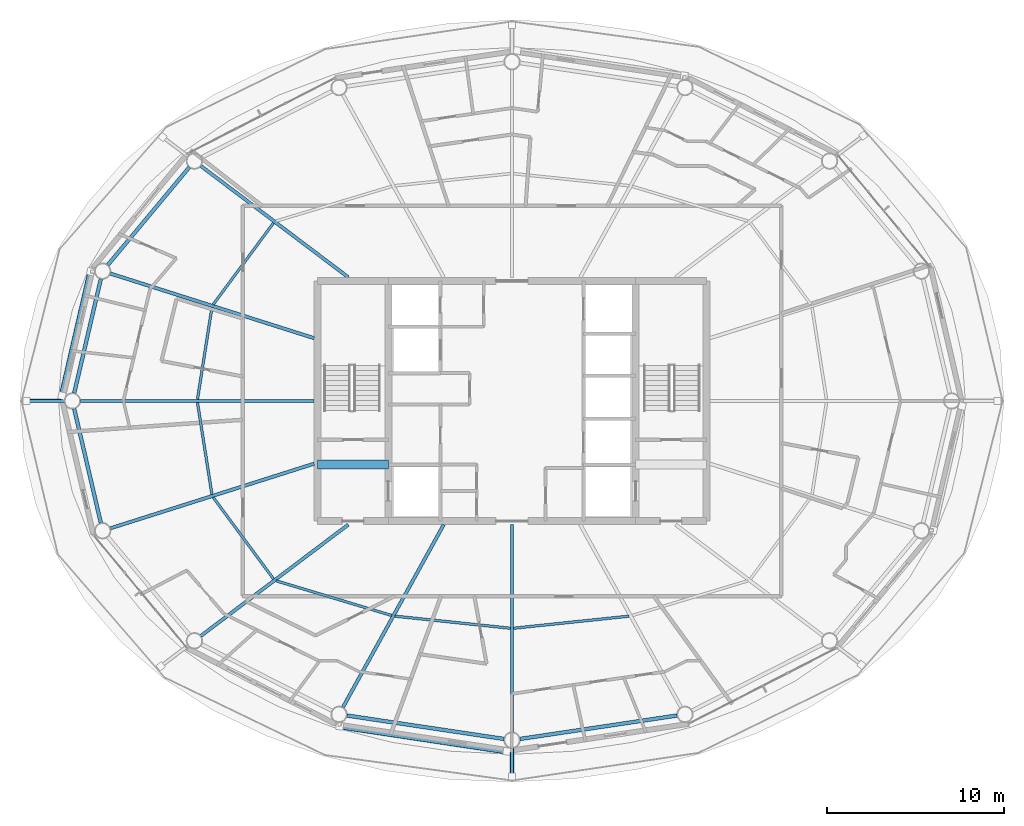
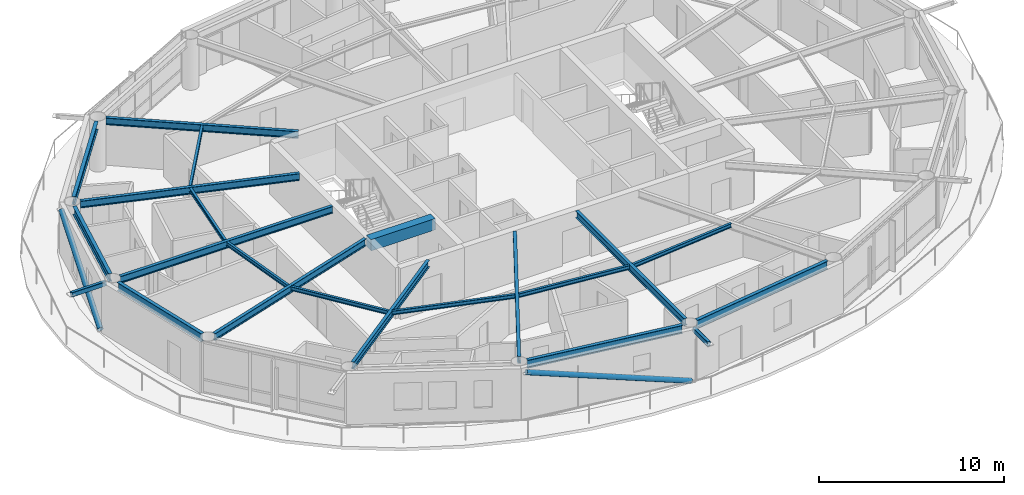
# One storey, part 4 of 23: 20 beams, 4 members.
"""IFC4 building model written with IfcOpenShell, lengths in metres."""

import ifcopenshell
import ifcopenshell.guid

model = None  # the IFC model being written
_history = None  # IfcOwnerHistory: only IFC2X3 demands one
_inside = {}  # id of a spatial element -> (the spatial element, [elements in it])
_under = {}  # id of a project, library or spatial element -> (it, [spatial elements below it])
_declared = {}  # id of a project -> (the project, [libraries it declares])
_typed = {}  # id of a type object -> (the type object, [elements of that type])
_made_of = {}  # id of a material, layer set ... -> (it, [elements and type objects made of it])


def new_model(schema):
    """Start an empty IFC model of exactly this schema.

    Asked for "IFC4X3", IfcOpenShell would pick the latest addendum, in which some entities
    have other attributes; the version numbers below select the first issue.
    IFC2X3 requires an IfcOwnerHistory on every rooted entity: one is made here for all.
    """
    global model, _history
    if schema == "IFC4X3":
        model = ifcopenshell.file(schema_version=(4, 3, 0, 0))
    else:
        model = ifcopenshell.file(schema=schema)
    _inside.clear()
    _under.clear()
    _declared.clear()
    _typed.clear()
    _made_of.clear()
    _history = None
    if model.schema == "IFC2X3":
        org = make("IfcOrganization", Name="unknown")
        user = make(
            "IfcPersonAndOrganization",
            ThePerson=make("IfcPerson", FamilyName="unknown"),
            TheOrganization=org,
        )
        app = make(
            "IfcApplication",
            ApplicationDeveloper=org,
            Version="unknown",
            ApplicationFullName="unknown",
            ApplicationIdentifier="unknown",
        )
        _history = make(
            "IfcOwnerHistory",
            OwningUser=user,
            OwningApplication=app,
            ChangeAction="ADDED",
            CreationDate=0,
        )
    return model


def make(cls, **values):
    """One entity of the class cls with the attributes given. An attribute that is None is left unset."""
    return model.create_entity(
        cls, **{name: value for name, value in values.items() if value is not None}
    )


def rooted(cls, **values):
    """An entity with a GlobalId (a new one), such as an element, a storey or a relation."""
    return make(cls, GlobalId=ifcopenshell.guid.new(), OwnerHistory=_history, **values)


def si_unit(unit_type, name, prefix=None):
    """IfcSIUnit, for example si_unit("LENGTHUNIT", "METRE", prefix="MILLI")."""
    return make("IfcSIUnit", UnitType=unit_type, Prefix=prefix, Name=name)


def assignment(units):
    """IfcUnitAssignment: the units of a project."""
    return None if units is None else make("IfcUnitAssignment", Units=units)


def point(xyz):
    """IfcCartesianPoint."""
    return None if xyz is None else make("IfcCartesianPoint", Coordinates=xyz)


def direction(xyz):
    """IfcDirection."""
    return None if xyz is None else make("IfcDirection", DirectionRatios=xyz)


def frame(location, z_axis=None, x_axis=None):
    """IfcAxis2Placement3D, a coordinate frame: its origin and axes. An axis left out is left unset."""
    return make(
        "IfcAxis2Placement3D",
        Location=point(location),
        Axis=direction(z_axis),
        RefDirection=direction(x_axis),
    )


def frame_2d(location, x_axis=None):
    """IfcAxis2Placement2D, a coordinate frame in the plane: its origin and x axis."""
    return make(
        "IfcAxis2Placement2D", Location=point(location), RefDirection=direction(x_axis)
    )


def origin():
    """The frame at (0, 0, 0) with its axes left unset."""
    return frame((0.0, 0.0, 0.0))


def origin_2d():
    """The frame at (0, 0) in the plane with its x axis left unset."""
    return frame_2d((0.0, 0.0))


def place(relative_to, where):
    """IfcLocalPlacement: puts the frame where relative to a parent placement (None: the world)."""
    return make(
        "IfcLocalPlacement", PlacementRelTo=relative_to, RelativePlacement=where
    )


def context(
    kind, dimensions, precision=None, world=None, true_north=None, identifier=None
):
    """IfcGeometricRepresentationContext, for example the 3D "Model" context."""
    return make(
        "IfcGeometricRepresentationContext",
        ContextIdentifier=identifier,
        ContextType=kind,
        CoordinateSpaceDimension=dimensions,
        Precision=precision,
        WorldCoordinateSystem=world,
        TrueNorth=true_north,
    )


def subcontext(parent, identifier, kind, view, scale=None):
    """IfcGeometricRepresentationSubContext, for example "Body" below "Model"."""
    return make(
        "IfcGeometricRepresentationSubContext",
        ContextIdentifier=identifier,
        ContextType=kind,
        ParentContext=parent,
        TargetScale=scale,
        TargetView=view,
    )


def project(units=None, contexts=None):
    """IfcProject with its units and contexts."""
    return rooted(
        "IfcProject",
        Name="project",
        RepresentationContexts=contexts,
        UnitsInContext=assignment(units),
    )


def spatial(cls, under=None, at=None, **own):
    """A site, building, storey or space (cls), placed at a placement, below another one or the project."""
    s = rooted(cls, ObjectPlacement=at, **own)
    if under is not None:
        _under.setdefault(under.id(), (under, []))[1].append(s)
    return s


def profile(cls, at=None, kind="AREA", **sizes):
    """A parametric profile (cls). Its sizes go by their IFC names, for example OverallWidth=200.0."""
    return make(cls, ProfileType=kind, Position=at, **sizes)


def rectangle(**sizes):
    """IfcRectangleProfileDef."""
    return profile("IfcRectangleProfileDef", **sizes)


def hollow_rectangle(**sizes):
    """IfcRectangleHollowProfileDef."""
    return profile("IfcRectangleHollowProfileDef", **sizes)


def hollow_circle(**sizes):
    """IfcCircleHollowProfileDef."""
    return profile("IfcCircleHollowProfileDef", **sizes)


def i_section(**sizes):
    """IfcIShapeProfileDef."""
    return profile("IfcIShapeProfileDef", **sizes)


def extrude(swept, where, along, depth):
    """IfcExtrudedAreaSolid: the profile swept, set in the frame where, extruded along a direction by depth."""
    return make(
        "IfcExtrudedAreaSolid",
        SweptArea=swept,
        Position=where,
        ExtrudedDirection=direction(along),
        Depth=depth,
    )


def shape(context_of_items, identifier, shape_type, items):
    """IfcShapeRepresentation: the items that make up one representation, for example the "Body"."""
    return make(
        "IfcShapeRepresentation",
        ContextOfItems=context_of_items,
        RepresentationIdentifier=identifier,
        RepresentationType=shape_type,
        Items=items,
    )


def material(Name=None, Category=None):
    """IfcMaterial."""
    return make("IfcMaterial", Name=Name, Category=Category)


def material_profile(
    of_material, cross_section, Name=None, Category=None, Priority=None
):
    """IfcMaterialProfile: a cross section and its material."""
    return make(
        "IfcMaterialProfile",
        Name=Name,
        Material=of_material,
        Profile=cross_section,
        Priority=Priority,
        Category=Category,
    )


def profile_set(profiles, Name=None, composite=None):
    """IfcMaterialProfileSet."""
    return make(
        "IfcMaterialProfileSet",
        Name=Name,
        MaterialProfiles=profiles,
        CompositeProfile=composite,
    )


def made_of(thing, what):
    """Note that an element or type object is made of a material, layer set ...; save() writes the relation."""
    if what is not None:
        _made_of.setdefault(what.id(), (what, []))[1].append(thing)
    return thing


def type_object(cls, material=None, **own):
    """A type object (cls), such as IfcWallType, which elements share."""
    return made_of(rooted(cls, **own), material)


def element(
    cls,
    number,
    at=None,
    inside=None,
    cuts=None,
    type_object=None,
    material=None,
    context=None,
    identifier="Body",
    shape_type=None,
    held_by="IfcProductDefinitionShape",
    body=None,
    shapes=None,
    **own,
):
    """One element of the class cls, such as IfcWall. Its Tag is "e" and its number.

    at: its placement. inside: the storey or other place that contains it. cuts: it is an
    opening in that element (IfcRelVoidsElement). A single representation is given by context,
    identifier, shape_type and body (its items); several are given by shapes. held_by: the class
    of the entity that holds the representations. save() writes the other relations.
    """
    e = rooted(cls, Tag="e%d" % number, ObjectPlacement=at, **own)
    if body is not None:
        shapes = [shape(context, identifier, shape_type, body)]
    if shapes is not None:
        e.Representation = make(held_by, Representations=shapes)
    if inside is not None:
        _inside.setdefault(inside.id(), (inside, []))[1].append(e)
    if cuts is not None:
        rooted(
            "IfcRelVoidsElement", RelatingBuildingElement=cuts, RelatedOpeningElement=e
        )
    if type_object is not None:
        _typed.setdefault(type_object.id(), (type_object, []))[1].append(e)
    return made_of(e, material)


def aggregate(whole, parts):
    """IfcRelAggregates: a whole, such as a stair, and the parts it consists of."""
    return rooted("IfcRelAggregates", RelatingObject=whole, RelatedObjects=parts)


def save(model, path):
    """Write the relations noted so far, then the file.

    IfcRelAggregates (storeys below a building ...), IfcRelContainedInSpatialStructure (elements
    in a storey), IfcRelDefinesByType, IfcRelAssociatesMaterial and IfcRelDeclares: one each for
    every whole, place, type object, material and project.
    """
    for whole, parts in _under.values():
        aggregate(whole, parts)
    for where, things in _inside.values():
        rooted(
            "IfcRelContainedInSpatialStructure",
            RelatedElements=things,
            RelatingStructure=where,
        )
    for kind, things in _typed.values():
        rooted("IfcRelDefinesByType", RelatedObjects=things, RelatingType=kind)
    for what, things in _made_of.values():
        rooted("IfcRelAssociatesMaterial", RelatedObjects=things, RelatingMaterial=what)
    for by, libraries in _declared.values():
        rooted("IfcRelDeclares", RelatingContext=by, RelatedDefinitions=libraries)
    model.write(path)


model = new_model("IFC4")

# Units and contexts
model_context = context("Model", 3, precision=1e-05, world=origin(), true_north=direction((0.0, 1.0)))
body_context = subcontext(model_context, "Body", "Model", "MODEL_VIEW")
ifc_project = project(units=[si_unit("LENGTHUNIT", "METRE"), si_unit("AREAUNIT", "SQUARE_METRE"), si_unit("VOLUMEUNIT", "CUBIC_METRE"), si_unit("PLANEANGLEUNIT", "RADIAN"), si_unit("MASSUNIT", "GRAM", prefix="KILO")], contexts=[model_context])

# Site, building, storey
site_placement = place(None, origin())
site = spatial("IfcSite", under=ifc_project, at=site_placement, CompositionType="ELEMENT")
building_placement = place(site_placement, origin())
building = spatial("IfcBuilding", under=site, at=building_placement, Name="Sarneth Arch Tower", CompositionType="ELEMENT")
storey_placement = place(building_placement, frame((0.0, 0.0, 224.39990234375)))
storey = spatial("IfcBuildingStorey", under=building, at=storey_placement, Name="L57", CompositionType="ELEMENT", Elevation=224.39990234375)

# Beams
ifc_material_1 = material(Name="Steel S355", Category="steel")
ifc_material_profile_1 = material_profile(ifc_material_1, i_section(OverallWidth=0.14794921875, OverallDepth=0.26611328125, WebThickness=0.007568359375, FlangeThickness=0.012939453125, FilletRadius=0.012939453125, at=origin_2d()), Name="W250x44.8")
ifc_profile_set_1 = profile_set([ifc_material_profile_1], Name="Steel S355")
beam_type_1 = type_object("IfcBeamType", Name="BM-JOIST-250", PredefinedType="JOIST", material=ifc_profile_set_1)
beam_1_placement = place(storey_placement, frame((34.5009765625, 52.075439453125, 3.22705078125), z_axis=(-0.594557229879, -0.804053294501, 0.0), x_axis=(0.804053294501, -0.594557229879, 0.0)))
element("IfcBeam", 1, at=beam_1_placement, inside=storey, type_object=beam_type_1, Name="L57 Secondary floor joist 07", PredefinedType="JOIST", context=body_context, shape_type="SweptSolid", body=[
    extrude(i_section(OverallWidth=0.14794921875, OverallDepth=0.26611328125, WebThickness=0.007568359375, FlangeThickness=0.012939453125, FilletRadius=0.012939453125, at=origin_2d()), origin(), (0.0, 0.0, 1.0), 5.74169921875),
])
for number, where, z_axis, x_axis, name in (
    (2, (31.01513671875, 47.286865234375, 3.22705078125), (-0.155421095795, -0.987848309702, 0.0), (0.987848309702, -0.155421095795, 0.0), "L57 Secondary floor joist 08"),
    (3, (30.1982421875, 41.9052734375, 3.22705078125), (0.155421095795, -0.987848309702, 0.0), (0.987848309702, 0.155421095795, 0.0), "L57 Secondary floor joist 09"),
):
    element("IfcBeam", number, at=place(storey_placement, frame(where, z_axis=z_axis, x_axis=x_axis)), inside=storey, type_object=beam_type_1, Name=name, PredefinedType="JOIST", context=body_context, shape_type="SweptSolid", body=[
        extrude(i_section(OverallWidth=0.14794921875, OverallDepth=0.26611328125, WebThickness=0.007568359375, FlangeThickness=0.012939453125, FilletRadius=0.012939453125, at=origin_2d()), origin(), (0.0, 0.0, 1.0), 5.256103515625),
    ])
beam_2_placement = place(storey_placement, frame((31.087158203125, 36.541259765625, 3.22705078125), z_axis=(0.594557229879, -0.804053294501, 0.0), x_axis=(0.804053294501, 0.594557229879, 0.0)))
element("IfcBeam", 4, at=beam_2_placement, inside=storey, type_object=beam_type_1, Name="L57 Secondary floor joist 10", PredefinedType="JOIST", context=body_context, shape_type="SweptSolid", body=[
    extrude(i_section(OverallWidth=0.14794921875, OverallDepth=0.26611328125, WebThickness=0.007568359375, FlangeThickness=0.012939453125, FilletRadius=0.012939453125, at=origin_2d()), origin(), (0.0, 0.0, 1.0), 5.74169921875),
])
beam_3_placement = place(storey_placement, frame((34.64990234375, 31.81982421875, 3.22705078125), z_axis=(0.957725851155, -0.287682453461, 0.0), x_axis=(0.287682453461, 0.957725851155, 0.0)))
element("IfcBeam", 5, at=beam_3_placement, inside=storey, type_object=beam_type_1, Name="L57 Secondary floor joist 11", PredefinedType="JOIST", context=body_context, shape_type="SweptSolid", body=[
    extrude(i_section(OverallWidth=0.14794921875, OverallDepth=0.26611328125, WebThickness=0.007568359375, FlangeThickness=0.012939453125, FilletRadius=0.012939453125, at=origin_2d()), origin(), (0.0, 0.0, 1.0), 6.828125),
])
for number, where, z_axis, x_axis, name in (
    (6, (41.376953125, 29.81787109375, 3.22705078125), (0.994572713015, -0.104043829835, 0.0), (0.104043829835, 0.994572713015, 0.0), "L57 Secondary floor joist 12"),
    (7, (48.095458984375, 29.135009765625, 3.22705078125), (0.994572713015, 0.104043829835, 0.0), (-0.104043829835, 0.994572713015, 0.0), "L57 Secondary floor joist 13"),
):
    element("IfcBeam", number, at=place(storey_placement, frame(where, z_axis=z_axis, x_axis=x_axis)), inside=storey, type_object=beam_type_1, Name=name, PredefinedType="JOIST", context=body_context, shape_type="SweptSolid", body=[
        extrude(i_section(OverallWidth=0.14794921875, OverallDepth=0.26611328125, WebThickness=0.007568359375, FlangeThickness=0.012939453125, FilletRadius=0.012939453125, at=origin_2d()), origin(), (0.0, 0.0, 1.0), 6.563232421875),
    ])
ifc_material_2 = material(Name="Concrete C50/60", Category="concrete")
ifc_material_profile_2 = material_profile(ifc_material_2, rectangle(XDim=0.5, YDim=0.75, at=origin_2d()), Name="RC-500x750")
ifc_profile_set_2 = profile_set([ifc_material_profile_2], Name="Concrete C50/60")
beam_type_2 = type_object("IfcBeamType", Name="BM-LINTEL-RC", PredefinedType="LINTEL", material=ifc_profile_set_2)
beam_4_placement = place(storey_placement, frame((37.0, 38.39990234375, 2.985107421875), z_axis=(1.0, 0.0, 0.0), x_axis=(0.0, 1.0, 0.0)))
element("IfcBeam", 8, at=beam_4_placement, inside=storey, type_object=beam_type_2, Name="L57 Core coupling lintel W", PredefinedType="LINTEL", context=body_context, shape_type="SweptSolid", body=[
    extrude(rectangle(XDim=0.5, YDim=0.75, at=origin_2d()), origin(), (0.0, 0.0, 1.0), 4.0),
])
ifc_material_3 = material(Name="Steel S355", Category="steel")
ifc_material_profile_3 = material_profile(ifc_material_3, i_section(OverallWidth=0.19189453125, OverallDepth=0.462890625, WebThickness=0.010498046875, FlangeThickness=0.017578125, FilletRadius=0.01806640625, at=origin_2d()), Name="W460x89")
ifc_profile_set_3 = profile_set([ifc_material_profile_3], Name="Steel S355")
beam_type_3 = type_object("IfcBeamType", Name="BM-RAD-460B", PredefinedType="BEAM", material=ifc_profile_set_3)
beam_5_placement = place(storey_placement, frame((38.73193359375, 49.0, 3.128662109375), z_axis=(-0.79797356997, 0.602692443647, 0.0), x_axis=(-0.602692443647, -0.79797356997, 0.0)))
element("IfcBeam", 9, at=beam_5_placement, inside=storey, type_object=beam_type_3, Name="L57 Radial floor girder 07", PredefinedType="BEAM", context=body_context, shape_type="SweptSolid", body=[
    extrude(i_section(OverallWidth=0.19189453125, OverallDepth=0.462890625, WebThickness=0.010498046875, FlangeThickness=0.017578125, FilletRadius=0.01806640625, at=origin_2d()), origin(), (0.0, 0.0, 1.0), 10.461669921875),
])
beam_6_placement = place(storey_placement, frame((36.800048828125, 45.5517578125, 3.128662109375), z_axis=(-0.953215615433, 0.302291234563, 0.0), x_axis=(-0.302291234563, -0.953215615433, 0.0)))
element("IfcBeam", 10, at=beam_6_placement, inside=storey, type_object=beam_type_3, Name="L57 Radial floor girder 08", PredefinedType="BEAM", context=body_context, shape_type="SweptSolid", body=[
    extrude(i_section(OverallWidth=0.19189453125, OverallDepth=0.462890625, WebThickness=0.010498046875, FlangeThickness=0.017578125, FilletRadius=0.01806640625, at=origin_2d()), origin(), (0.0, 0.0, 1.0), 12.1064453125),
])
beam_7_placement = place(storey_placement, frame((36.800048828125, 42.0, 3.128662109375), z_axis=(-1.0, 0.0, 0.0), x_axis=(0.0, -1.0, 0.0)))
element("IfcBeam", 11, at=beam_7_placement, inside=storey, type_object=beam_type_3, Name="L57 Radial floor girder 09", PredefinedType="BEAM", context=body_context, shape_type="SweptSolid", body=[
    extrude(i_section(OverallWidth=0.19189453125, OverallDepth=0.462890625, WebThickness=0.010498046875, FlangeThickness=0.017578125, FilletRadius=0.01806640625, at=origin_2d()), origin(), (0.0, 0.0, 1.0), 13.233154296875),
])
beam_8_placement = place(storey_placement, frame((36.800048828125, 38.4482421875, 3.128662109375), z_axis=(-0.953215615433, -0.302291234563, 0.0), x_axis=(0.302291234563, -0.953215615433, 0.0)))
element("IfcBeam", 12, at=beam_8_placement, inside=storey, type_object=beam_type_3, Name="L57 Radial floor girder 10", PredefinedType="BEAM", context=body_context, shape_type="SweptSolid", body=[
    extrude(i_section(OverallWidth=0.19189453125, OverallDepth=0.462890625, WebThickness=0.010498046875, FlangeThickness=0.017578125, FilletRadius=0.01806640625, at=origin_2d()), origin(), (0.0, 0.0, 1.0), 12.1064453125),
])
beam_9_placement = place(storey_placement, frame((38.73193359375, 35.0, 3.128662109375), z_axis=(-0.79797356997, -0.602692443647, 0.0), x_axis=(0.602692443647, -0.79797356997, 0.0)))
element("IfcBeam", 13, at=beam_9_placement, inside=storey, type_object=beam_type_3, Name="L57 Radial floor girder 11", PredefinedType="BEAM", context=body_context, shape_type="SweptSolid", body=[
    extrude(i_section(OverallWidth=0.19189453125, OverallDepth=0.462890625, WebThickness=0.010498046875, FlangeThickness=0.017578125, FilletRadius=0.01806640625, at=origin_2d()), origin(), (0.0, 0.0, 1.0), 10.461669921875),
])
beam_10_placement = place(storey_placement, frame((44.13623046875, 35.0, 3.128662109375), z_axis=(-0.483218265038, -0.875499919094, 0.0), x_axis=(0.875499919094, -0.483218265038, 0.0)))
element("IfcBeam", 14, at=beam_10_placement, inside=storey, type_object=beam_type_3, Name="L57 Radial floor girder 12", PredefinedType="BEAM", context=body_context, shape_type="SweptSolid", body=[
    extrude(i_section(OverallWidth=0.19189453125, OverallDepth=0.462890625, WebThickness=0.010498046875, FlangeThickness=0.017578125, FilletRadius=0.01806640625, at=origin_2d()), origin(), (0.0, 0.0, 1.0), 11.8154296875),
])
beam_11_placement = place(storey_placement, frame((48.0, 35.0, 3.128662109375), z_axis=(0.0, -1.0, 0.0), x_axis=(1.0, 0.0, 0.0)))
element("IfcBeam", 15, at=beam_11_placement, inside=storey, type_object=beam_type_3, Name="L57 Radial floor girder 13", PredefinedType="BEAM", context=body_context, shape_type="SweptSolid", body=[
    extrude(i_section(OverallWidth=0.19189453125, OverallDepth=0.462890625, WebThickness=0.010498046875, FlangeThickness=0.017578125, FilletRadius=0.01806640625, at=origin_2d()), origin(), (0.0, 0.0, 1.0), 11.75),
])
ifc_material_4 = material(Name="Steel S355", Category="steel")
ifc_material_profile_4 = material_profile(ifc_material_4, i_section(OverallWidth=0.2109375, OverallDepth=0.5390625, WebThickness=0.01171875, FlangeThickness=0.018798828125, FilletRadius=0.01806640625, at=origin_2d()), Name="W530x109")
ifc_profile_set_4 = profile_set([ifc_material_profile_4], Name="Steel S355")
beam_type_4 = type_object("IfcBeamType", Name="BM-RAD-530B", PredefinedType="BEAM", material=ifc_profile_set_4)
beam_12_placement = place(storey_placement, frame((29.736572265625, 55.230712890625, 3.090576171875), z_axis=(-0.640390876881, -0.768049168222, 0.0), x_axis=(0.768049168222, -0.640390876881, 0.0)))
element("IfcBeam", 16, at=beam_12_placement, inside=storey, type_object=beam_type_4, Name="L57 Perimeter spandrel beam 07", PredefinedType="BEAM", context=body_context, shape_type="SweptSolid", body=[
    extrude(i_section(OverallWidth=0.2109375, OverallDepth=0.5390625, WebThickness=0.01171875, FlangeThickness=0.018798828125, FilletRadius=0.01806640625, at=origin_2d()), origin(), (0.0, 0.0, 1.0), 7.2099609375),
])
for number, where, z_axis, x_axis, name in (
    (17, (24.72900390625, 48.9091796875, 3.090576171875), (-0.227247037844, -0.973837144389, 0.0), (0.973837144389, -0.227247037844, 0.0), "L57 Perimeter spandrel beam 08"),
    (18, (23.218994140625, 41.561767578125, 3.090576171875), (0.227247037844, -0.973837144389, 0.0), (0.973837144389, 0.227247037844, 0.0), "L57 Perimeter spandrel beam 09"),
):
    element("IfcBeam", number, at=place(storey_placement, frame(where, z_axis=z_axis, x_axis=x_axis)), inside=storey, type_object=beam_type_4, Name=name, PredefinedType="BEAM", context=body_context, shape_type="SweptSolid", body=[
        extrude(i_section(OverallWidth=0.2109375, OverallDepth=0.5390625, WebThickness=0.01171875, FlangeThickness=0.018798828125, FilletRadius=0.01806640625, at=origin_2d()), origin(), (0.0, 0.0, 1.0), 6.644775390625),
    ])
for number, where, z_axis, x_axis, name in (
    (19, (38.654296875, 24.195068359375, 3.090576171875), (0.989041765772, -0.147635990052, 0.0), (0.147635990052, 0.989041765772, 0.0), "L57 Perimeter spandrel beam 12"),
    (20, (48.445068359375, 22.866455078125, 3.090576171875), (0.989041765772, 0.147635990052, 0.0), (-0.147635990052, 0.989041765772, 0.0), "L57 Perimeter spandrel beam 13"),
):
    element("IfcBeam", number, at=place(storey_placement, frame(where, z_axis=z_axis, x_axis=x_axis)), inside=storey, type_object=beam_type_4, Name=name, PredefinedType="BEAM", context=body_context, shape_type="SweptSolid", body=[
        extrude(i_section(OverallWidth=0.2109375, OverallDepth=0.5390625, WebThickness=0.01171875, FlangeThickness=0.018798828125, FilletRadius=0.01806640625, at=origin_2d()), origin(), (0.0, 0.0, 1.0), 8.999267578125),
    ])

# Members
ifc_material_5 = material(Name="Steel S355", Category="steel")
ifc_material_profile_5 = material_profile(ifc_material_5, hollow_rectangle(XDim=0.199951171875, YDim=0.300048828125, WallThickness=0.012451171875, InnerFilletRadius=0.018798828125, OuterFilletRadius=0.03125, at=origin_2d()), Name="RHS300x200x12.5")
ifc_profile_set_5 = profile_set([ifc_material_profile_5], Name="Steel S355")
member_type_1 = type_object("IfcMemberType", Name="MEM-CANT-STRUT", PredefinedType="STRUT", material=ifc_profile_set_5)
member_1_placement = place(storey_placement, frame((22.666748046875, 42.0, 3.2001953125), z_axis=(-1.0, 0.0, 0.0), x_axis=(0.0, -1.0, 0.0)))
element("IfcMember", 21, at=member_1_placement, inside=storey, type_object=member_type_1, Name="L57 Balcony cantilever bracket 09", PredefinedType="STRUT", context=body_context, shape_type="SweptSolid", body=[
    extrude(hollow_rectangle(XDim=0.199951171875, YDim=0.300048828125, WallThickness=0.012451171875, InnerFilletRadius=0.018798828125, OuterFilletRadius=0.03125, at=origin_2d()), origin(), (0.0, 0.0, 1.0), 2.141845703125),
])
member_2_placement = place(storey_placement, frame((48.0, 22.35009765625, 3.2001953125), z_axis=(0.0, -1.0, 0.0), x_axis=(1.0, 0.0, 0.0)))
element("IfcMember", 22, at=member_2_placement, inside=storey, type_object=member_type_1, Name="L57 Balcony cantilever bracket 13", PredefinedType="STRUT", context=body_context, shape_type="SweptSolid", body=[
    extrude(hollow_rectangle(XDim=0.199951171875, YDim=0.300048828125, WallThickness=0.012451171875, InnerFilletRadius=0.018798828125, OuterFilletRadius=0.03125, at=origin_2d()), origin(), (0.0, 0.0, 1.0), 1.608154296875),
])
ifc_material_6 = material(Name="Steel S355", Category="steel")
ifc_material_profile_6 = material_profile(ifc_material_6, hollow_circle(Radius=0.162109375, WallThickness=0.012451171875, at=origin_2d()), Name="CHS324x12.5")
ifc_profile_set_6 = profile_set([ifc_material_profile_6], Name="Steel S355")
member_type_2 = type_object("IfcMemberType", Name="MEM-DIAG-BR3", PredefinedType="BRACE", material=ifc_profile_set_6)
member_3_placement = place(storey_placement, frame((22.5234375, 42.292236328125, 0.02001953125), z_axis=(0.207917989892, 0.898749333617, 0.386030756289), x_axis=(-0.974268900284, 0.225388797281, 0.0)))
element("IfcMember", 23, at=member_3_placement, inside=storey, type_object=member_type_2, Name="L57 Perimeter frame diagonal 08", PredefinedType="BRACE", context=body_context, shape_type="SweptSolid", body=[
    extrude(hollow_circle(Radius=0.162109375, WallThickness=0.012451171875, at=origin_2d()), origin(), (0.0, 0.0, 1.0), 7.814453125),
])
member_4_placement = place(storey_placement, frame((47.703369140625, 22.16455078125, 0.02001953125), z_axis=(-0.943056107878, 0.142001297879, 0.300800280576), x_axis=(-0.148897148305, -0.988852688335, 0.0)))
element("IfcMember", 24, at=member_4_placement, inside=storey, type_object=member_type_2, Name="L57 Perimeter frame diagonal 12", PredefinedType="BRACE", context=body_context, shape_type="SweptSolid", body=[
    extrude(hollow_circle(Radius=0.162109375, WallThickness=0.012451171875, at=origin_2d()), origin(), (0.0, 0.0, 1.0), 10.028564453125),
])

save(model, "model.ifc")
